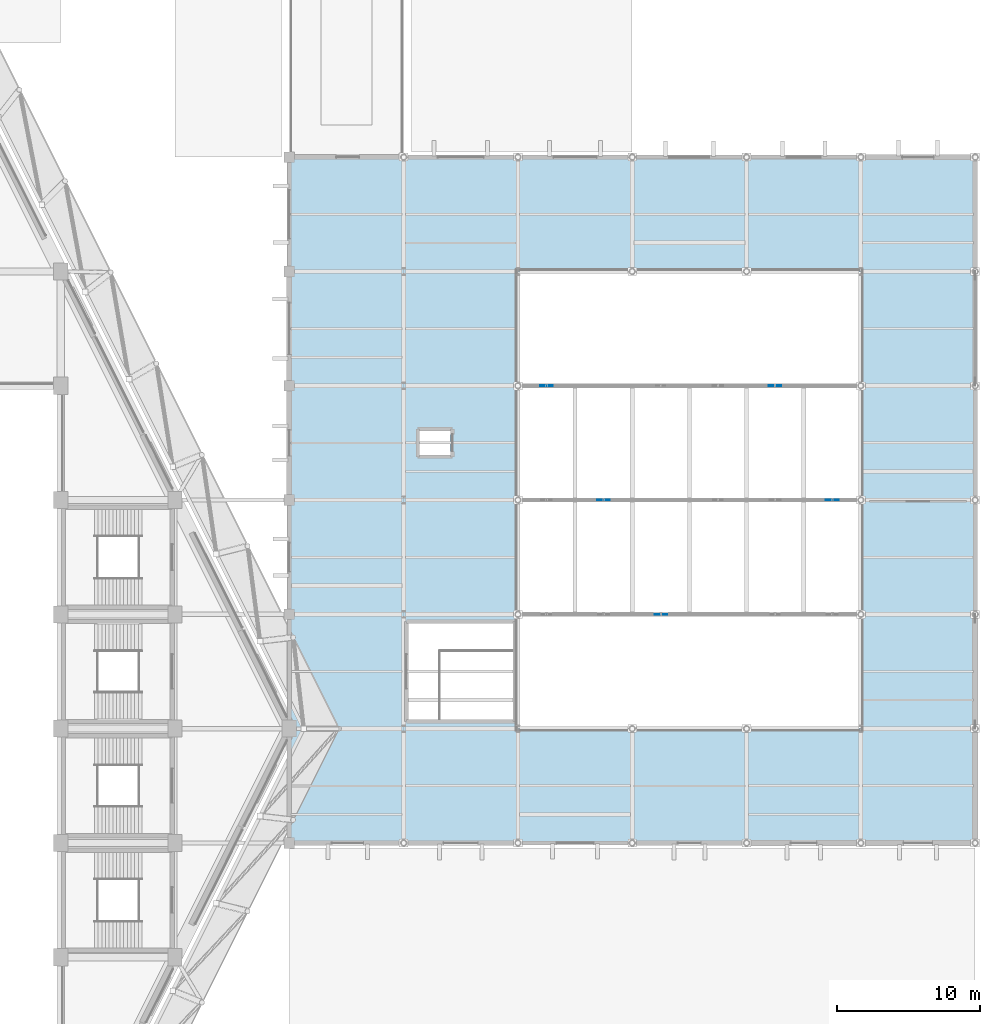
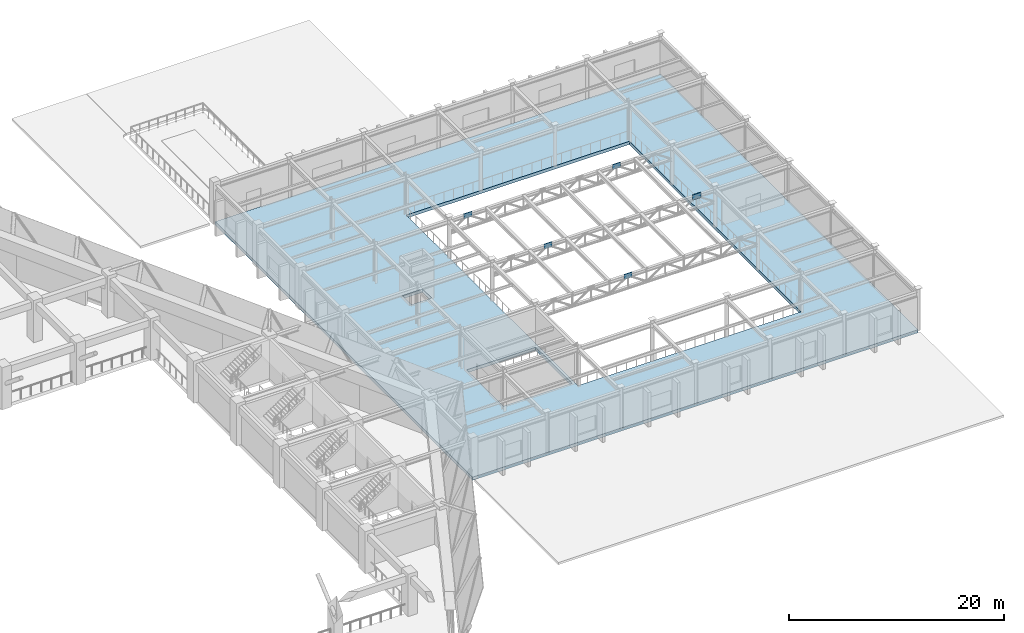
# One storey, part 19 of 46: 5 plates, 1 slab.
"""IFC4 building model written with IfcOpenShell, lengths in metres."""

from ifc_helpers import new_model, si_unit, direction, frame, origin, origin_2d, place, context, subcontext, project, spatial, polyline, rectangle, outline, extrude, material, layer, layer_set, type_object, element, save


model = new_model("IFC4")

# Units and contexts
model_context = context("Model", 3, precision=1e-05, world=origin(), true_north=direction((0.0, 1.0)))
body_context = subcontext(model_context, "Body", "Model", "MODEL_VIEW")
ifc_project = project(units=[si_unit("LENGTHUNIT", "METRE"), si_unit("AREAUNIT", "SQUARE_METRE"), si_unit("VOLUMEUNIT", "CUBIC_METRE"), si_unit("PLANEANGLEUNIT", "RADIAN"), si_unit("MASSUNIT", "GRAM", prefix="KILO")], contexts=[model_context])

# Site, building, storey
site_placement = place(None, origin())
site = spatial("IfcSite", under=ifc_project, at=site_placement, CompositionType="ELEMENT")
building_placement = place(site_placement, origin())
building = spatial("IfcBuilding", under=site, at=building_placement, Name="Tazarka Park Arena", CompositionType="ELEMENT")
storey_placement = place(building_placement, frame((0.0, 0.0, 10.199951171875)))
storey = spatial("IfcBuildingStorey", under=building, at=storey_placement, Name="L02", CompositionType="ELEMENT", Elevation=10.199951171875)

# Plates
ifc_material_1 = material(Name="Steel S460", Category="steel")
ifc_layer_1 = layer(ifc_material_1, 0.0419921875, Name="Steel S460")
ifc_layer_set_1 = layer_set([ifc_layer_1], Name="Steel S460")
plate_type = type_object("IfcPlateType", Name="PLT-PL-08", PredefinedType="USERDEFINED", material=ifc_layer_set_1)
for number, where, z_axis, x_axis, name in (
    (1, (162.0, 72.0, 3.8701171875), (0.0, 0.0, 1.0), (1.0, 0.0, 0.0), "WTG-1-2"),
    (2, (158.0, 80.0, 3.8701171875), (0.0, 0.0, 1.0), (1.0, 0.0, 0.0), "WTG-2-1"),
    (3, (174.0, 80.0, 3.8701171875), (0.0, 0.0, 1.0), (1.0, 0.0, 0.0), "WTG-2-5"),
    (4, (154.0, 88.0, 3.8701171875), (0.0, 0.0, 1.0), (1.0, 0.0, 0.0), "WTG-3-0"),
    (5, (170.0, 88.0, 3.8701171875), (0.0, 0.0, 1.0), (1.0, 0.0, 0.0), "WTG-3-4"),
):
    element("IfcPlate", number, at=place(storey_placement, frame(where, z_axis=z_axis, x_axis=x_axis)), inside=storey, type_object=plate_type, Name=name, ObjectType="STIFFENER", PredefinedType="USERDEFINED", context=body_context, shape_type="SweptSolid", body=[
        extrude(rectangle(XDim=0.8798828125, YDim=0.0419921875, at=origin_2d()), origin(), (0.0, 0.0, 1.0), 0.580078125),
    ])

# Slab
ifc_material_2 = material(Name="Concrete C35/45", Category="concrete")
ifc_layer_2 = layer(ifc_material_2, 0.360107421875, Name="Concrete C35/45")
ifc_layer_set_2 = layer_set([ifc_layer_2], Name="Concrete C35/45")
slab_type = type_object("IfcSlabType", Name="SLB-SL-05", PredefinedType="FLOOR", material=ifc_layer_set_2)
slab_placement = place(storey_placement, frame((0.0, 0.0, -0.35986328125)))
element("IfcSlab", 6, at=slab_placement, inside=storey, type_object=slab_type, Name="FLR-L02-E-01", PredefinedType="FLOOR", context=body_context, shape_type="SweptSolid", body=[
    extrude(outline(polyline([(183.969970703125, 104.0), (184.0, 103.969970703125), (183.9912109375, 56.0087890625), (136.02880859375, 56.0087890625), (136.02880859375, 103.9912109375), (183.969970703125, 104.0)]), holes=[polyline([(152.0, 64.0), (176.0, 64.0), (176.0, 96.0), (152.0, 96.0), (152.0, 64.0)]), polyline([(144.300048828125, 64.60009765625), (151.699951171875, 64.60009765625), (151.699951171875, 71.39990234375), (144.300048828125, 71.39990234375), (144.300048828125, 64.60009765625)]), polyline([(145.110107421875, 83.159912109375), (147.2900390625, 83.159912109375), (147.2900390625, 84.840087890625), (145.110107421875, 84.840087890625), (145.110107421875, 83.159912109375)])]), origin(), (0.0, 0.0, 1.0), 0.35986328125),
])

save(model, "model.ifc")
